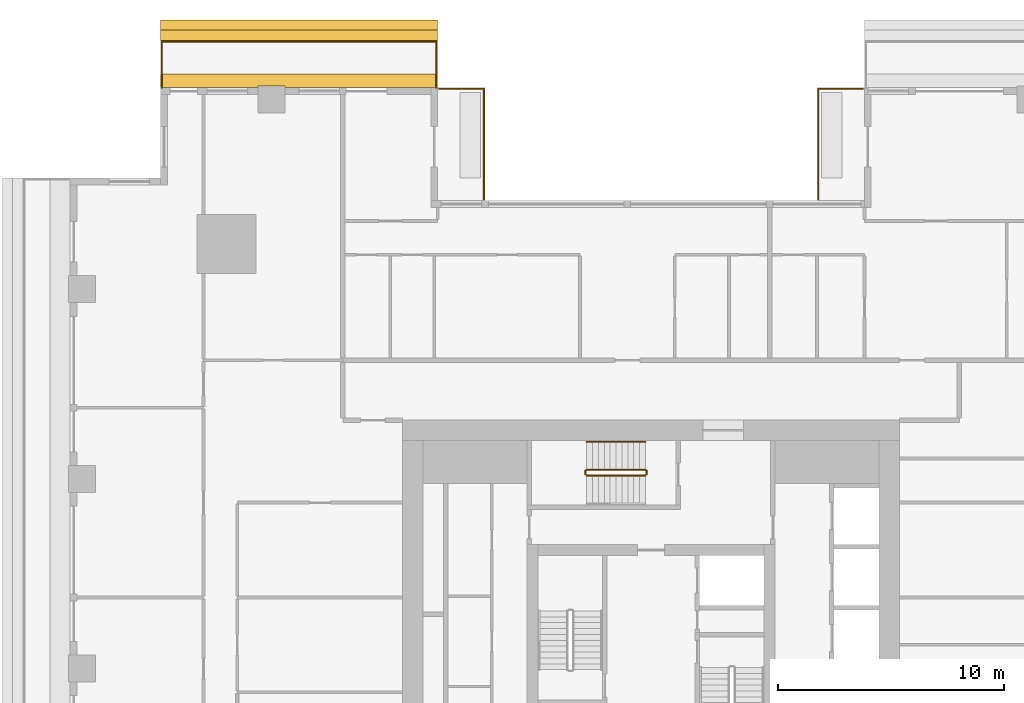
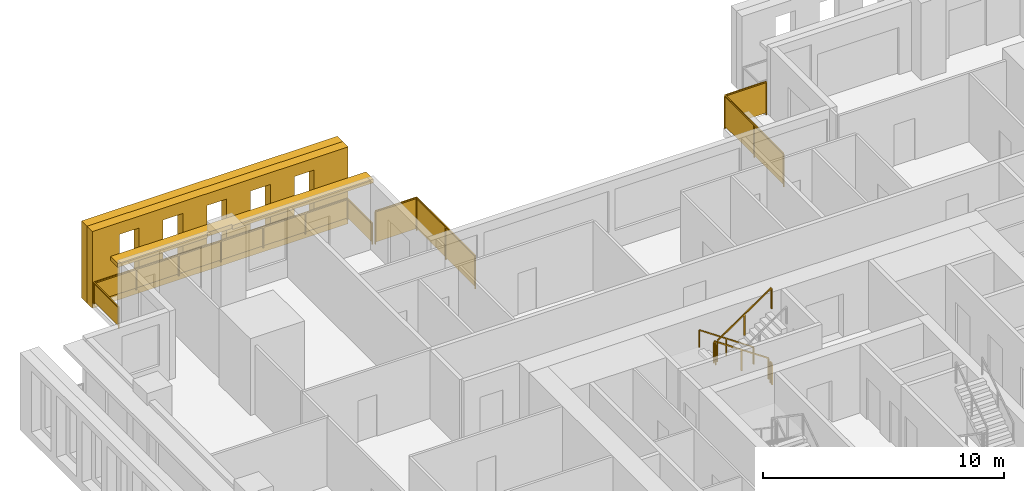
# One storey, part 15 of 16: 8 railings, 3 shading devices.
"""IFC4 building model written with IfcOpenShell, lengths in metres."""

import ifcopenshell
import ifcopenshell.guid

model = None  # the IFC model being written
_history = None  # IfcOwnerHistory: only IFC2X3 demands one
_inside = {}  # id of a spatial element -> (the spatial element, [elements in it])
_under = {}  # id of a project, library or spatial element -> (it, [spatial elements below it])
_declared = {}  # id of a project -> (the project, [libraries it declares])
_typed = {}  # id of a type object -> (the type object, [elements of that type])
_made_of = {}  # id of a material, layer set ... -> (it, [elements and type objects made of it])


def new_model(schema):
    """Start an empty IFC model of exactly this schema.

    Asked for "IFC4X3", IfcOpenShell would pick the latest addendum, in which some entities
    have other attributes; the version numbers below select the first issue.
    IFC2X3 requires an IfcOwnerHistory on every rooted entity: one is made here for all.
    """
    global model, _history
    if schema == "IFC4X3":
        model = ifcopenshell.file(schema_version=(4, 3, 0, 0))
    else:
        model = ifcopenshell.file(schema=schema)
    _inside.clear()
    _under.clear()
    _declared.clear()
    _typed.clear()
    _made_of.clear()
    _history = None
    if model.schema == "IFC2X3":
        org = make("IfcOrganization", Name="unknown")
        user = make(
            "IfcPersonAndOrganization",
            ThePerson=make("IfcPerson", FamilyName="unknown"),
            TheOrganization=org,
        )
        app = make(
            "IfcApplication",
            ApplicationDeveloper=org,
            Version="unknown",
            ApplicationFullName="unknown",
            ApplicationIdentifier="unknown",
        )
        _history = make(
            "IfcOwnerHistory",
            OwningUser=user,
            OwningApplication=app,
            ChangeAction="ADDED",
            CreationDate=0,
        )
    return model


def make(cls, **values):
    """One entity of the class cls with the attributes given. An attribute that is None is left unset."""
    return model.create_entity(
        cls, **{name: value for name, value in values.items() if value is not None}
    )


def rooted(cls, **values):
    """An entity with a GlobalId (a new one), such as an element, a storey or a relation."""
    return make(cls, GlobalId=ifcopenshell.guid.new(), OwnerHistory=_history, **values)


def si_unit(unit_type, name, prefix=None):
    """IfcSIUnit, for example si_unit("LENGTHUNIT", "METRE", prefix="MILLI")."""
    return make("IfcSIUnit", UnitType=unit_type, Prefix=prefix, Name=name)


def assignment(units):
    """IfcUnitAssignment: the units of a project."""
    return None if units is None else make("IfcUnitAssignment", Units=units)


def point(xyz):
    """IfcCartesianPoint."""
    return None if xyz is None else make("IfcCartesianPoint", Coordinates=xyz)


def direction(xyz):
    """IfcDirection."""
    return None if xyz is None else make("IfcDirection", DirectionRatios=xyz)


def frame(location, z_axis=None, x_axis=None):
    """IfcAxis2Placement3D, a coordinate frame: its origin and axes. An axis left out is left unset."""
    return make(
        "IfcAxis2Placement3D",
        Location=point(location),
        Axis=direction(z_axis),
        RefDirection=direction(x_axis),
    )


def frame_2d(location, x_axis=None):
    """IfcAxis2Placement2D, a coordinate frame in the plane: its origin and x axis."""
    return make(
        "IfcAxis2Placement2D", Location=point(location), RefDirection=direction(x_axis)
    )


def origin():
    """The frame at (0, 0, 0) with its axes left unset."""
    return frame((0.0, 0.0, 0.0))


def origin_2d():
    """The frame at (0, 0) in the plane with its x axis left unset."""
    return frame_2d((0.0, 0.0))


def place(relative_to, where):
    """IfcLocalPlacement: puts the frame where relative to a parent placement (None: the world)."""
    return make(
        "IfcLocalPlacement", PlacementRelTo=relative_to, RelativePlacement=where
    )


def context(
    kind, dimensions, precision=None, world=None, true_north=None, identifier=None
):
    """IfcGeometricRepresentationContext, for example the 3D "Model" context."""
    return make(
        "IfcGeometricRepresentationContext",
        ContextIdentifier=identifier,
        ContextType=kind,
        CoordinateSpaceDimension=dimensions,
        Precision=precision,
        WorldCoordinateSystem=world,
        TrueNorth=true_north,
    )


def subcontext(parent, identifier, kind, view, scale=None):
    """IfcGeometricRepresentationSubContext, for example "Body" below "Model"."""
    return make(
        "IfcGeometricRepresentationSubContext",
        ContextIdentifier=identifier,
        ContextType=kind,
        ParentContext=parent,
        TargetScale=scale,
        TargetView=view,
    )


def project(units=None, contexts=None):
    """IfcProject with its units and contexts."""
    return rooted(
        "IfcProject",
        Name="project",
        RepresentationContexts=contexts,
        UnitsInContext=assignment(units),
    )


def spatial(cls, under=None, at=None, **own):
    """A site, building, storey or space (cls), placed at a placement, below another one or the project."""
    s = rooted(cls, ObjectPlacement=at, **own)
    if under is not None:
        _under.setdefault(under.id(), (under, []))[1].append(s)
    return s


def polyline(points):
    """IfcPolyline through the points."""
    return make("IfcPolyline", Points=[point(p) for p in points])


def profile(cls, at=None, kind="AREA", **sizes):
    """A parametric profile (cls). Its sizes go by their IFC names, for example OverallWidth=200.0."""
    return make(cls, ProfileType=kind, Position=at, **sizes)


def rectangle(**sizes):
    """IfcRectangleProfileDef."""
    return profile("IfcRectangleProfileDef", **sizes)


def outline(outer, holes=None, kind="AREA"):
    """IfcArbitraryClosedProfileDef: a profile drawn as a closed curve; with holes, ...WithVoids."""
    if holes is None:
        return make("IfcArbitraryClosedProfileDef", ProfileType=kind, OuterCurve=outer)
    return make(
        "IfcArbitraryProfileDefWithVoids",
        ProfileType=kind,
        OuterCurve=outer,
        InnerCurves=holes,
    )


def extrude(swept, where, along, depth):
    """IfcExtrudedAreaSolid: the profile swept, set in the frame where, extruded along a direction by depth."""
    return make(
        "IfcExtrudedAreaSolid",
        SweptArea=swept,
        Position=where,
        ExtrudedDirection=direction(along),
        Depth=depth,
    )


def shape(context_of_items, identifier, shape_type, items):
    """IfcShapeRepresentation: the items that make up one representation, for example the "Body"."""
    return make(
        "IfcShapeRepresentation",
        ContextOfItems=context_of_items,
        RepresentationIdentifier=identifier,
        RepresentationType=shape_type,
        Items=items,
    )


def material(Name=None, Category=None):
    """IfcMaterial."""
    return make("IfcMaterial", Name=Name, Category=Category)


def layer(
    of_material, thickness, ventilated=None, Name=None, Category=None, Priority=None
):
    """IfcMaterialLayer: one layer of a wall or slab, of a material (None: an air gap)."""
    return make(
        "IfcMaterialLayer",
        Material=of_material,
        LayerThickness=thickness,
        IsVentilated=ventilated,
        Name=Name,
        Category=Category,
        Priority=Priority,
    )


def layer_set(layers, Name=None):
    """IfcMaterialLayerSet."""
    return make("IfcMaterialLayerSet", MaterialLayers=layers, LayerSetName=Name)


def made_of(thing, what):
    """Note that an element or type object is made of a material, layer set ...; save() writes the relation."""
    if what is not None:
        _made_of.setdefault(what.id(), (what, []))[1].append(thing)
    return thing


def type_object(cls, material=None, **own):
    """A type object (cls), such as IfcWallType, which elements share."""
    return made_of(rooted(cls, **own), material)


def element(
    cls,
    number,
    at=None,
    inside=None,
    cuts=None,
    type_object=None,
    material=None,
    context=None,
    identifier="Body",
    shape_type=None,
    held_by="IfcProductDefinitionShape",
    body=None,
    shapes=None,
    **own,
):
    """One element of the class cls, such as IfcWall. Its Tag is "e" and its number.

    at: its placement. inside: the storey or other place that contains it. cuts: it is an
    opening in that element (IfcRelVoidsElement). A single representation is given by context,
    identifier, shape_type and body (its items); several are given by shapes. held_by: the class
    of the entity that holds the representations. save() writes the other relations.
    """
    e = rooted(cls, Tag="e%d" % number, ObjectPlacement=at, **own)
    if body is not None:
        shapes = [shape(context, identifier, shape_type, body)]
    if shapes is not None:
        e.Representation = make(held_by, Representations=shapes)
    if inside is not None:
        _inside.setdefault(inside.id(), (inside, []))[1].append(e)
    if cuts is not None:
        rooted(
            "IfcRelVoidsElement", RelatingBuildingElement=cuts, RelatedOpeningElement=e
        )
    if type_object is not None:
        _typed.setdefault(type_object.id(), (type_object, []))[1].append(e)
    return made_of(e, material)


def aggregate(whole, parts):
    """IfcRelAggregates: a whole, such as a stair, and the parts it consists of."""
    return rooted("IfcRelAggregates", RelatingObject=whole, RelatedObjects=parts)


def save(model, path):
    """Write the relations noted so far, then the file.

    IfcRelAggregates (storeys below a building ...), IfcRelContainedInSpatialStructure (elements
    in a storey), IfcRelDefinesByType, IfcRelAssociatesMaterial and IfcRelDeclares: one each for
    every whole, place, type object, material and project.
    """
    for whole, parts in _under.values():
        aggregate(whole, parts)
    for where, things in _inside.values():
        rooted(
            "IfcRelContainedInSpatialStructure",
            RelatedElements=things,
            RelatingStructure=where,
        )
    for kind, things in _typed.values():
        rooted("IfcRelDefinesByType", RelatedObjects=things, RelatingType=kind)
    for what, things in _made_of.values():
        rooted("IfcRelAssociatesMaterial", RelatedObjects=things, RelatingMaterial=what)
    for by, libraries in _declared.values():
        rooted("IfcRelDeclares", RelatingContext=by, RelatedDefinitions=libraries)
    model.write(path)


model = new_model("IFC4")

# Units and contexts
model_context = context("Model", 3, precision=1e-05, world=origin(), true_north=direction((0.0, 1.0)))
body_context = subcontext(model_context, "Body", "Model", "MODEL_VIEW")
ifc_project = project(units=[si_unit("LENGTHUNIT", "METRE"), si_unit("AREAUNIT", "SQUARE_METRE"), si_unit("VOLUMEUNIT", "CUBIC_METRE"), si_unit("PLANEANGLEUNIT", "RADIAN"), si_unit("MASSUNIT", "GRAM", prefix="KILO")], contexts=[model_context])

# Site, building, storey
site_placement = place(None, origin())
site = spatial("IfcSite", under=ifc_project, at=site_placement, CompositionType="ELEMENT")
building_placement = place(site_placement, origin())
building = spatial("IfcBuilding", under=site, at=building_placement, Name="Khepri Terraces", CompositionType="ELEMENT")
storey_placement = place(building_placement, frame((0.0, 0.0, 157.199951171875)))
storey = spatial("IfcBuildingStorey", under=building, at=storey_placement, Name="L37", CompositionType="ELEMENT", Elevation=157.199951171875)

# Railings
ifc_material_1 = material(Name="Stainless steel grade 316", Category="steel")
railing_type_1 = type_object("IfcRailingType", Name="GRD-BAL-1100", PredefinedType="GUARDRAIL", material=ifc_material_1)
railing_1_placement = place(storey_placement, frame((-9.5, 25.719970703125, 0.0)))
element("IfcRailing", 1, at=railing_1_placement, inside=storey, type_object=railing_type_1, Name="Balcony guard L37 N", PredefinedType="GUARDRAIL", context=body_context, shape_type="SweptSolid", body=[
    extrude(rectangle(XDim=0.050048828125, YDim=0.06005859375, at=origin_2d()), frame((0.0, 0.0, 1.070068359375), z_axis=(0.0, 1.0, 0.0), x_axis=(-1.0, 0.0, 0.0)), (0.0, 0.0, 1.0), 2.050048828125),
    extrude(rectangle(XDim=2.0, YDim=0.011962890625, at=origin_2d()), frame((0.0, 1.02490234375, 0.10009765625), z_axis=(0.0, 0.0, 1.0), x_axis=(0.0, 1.0, 0.0)), (0.0, 0.0, 1.0), 0.93994140625),
    extrude(rectangle(XDim=0.050048828125, YDim=0.06005859375, at=origin_2d()), frame((0.0, 2.050048828125, 1.070068359375), z_axis=(-1.0, 0.0, 0.0), x_axis=(0.0, -1.0, 0.0)), (0.0, 0.0, 1.0), 12.169921875),
    extrude(rectangle(XDim=1.978271484375, YDim=0.011962890625, at=origin_2d()), frame((-1.01416015625, 2.050048828125, 0.10009765625), z_axis=(0.0, 0.0, 1.0), x_axis=(-1.0, 0.0, 0.0)), (0.0, 0.0, 1.0), 0.93994140625),
    extrude(rectangle(XDim=1.978271484375, YDim=0.011962890625, at=origin_2d()), frame((-3.04248046875, 2.050048828125, 0.10009765625), z_axis=(0.0, 0.0, 1.0), x_axis=(-1.0, 0.0, 0.0)), (0.0, 0.0, 1.0), 0.93994140625),
    extrude(rectangle(XDim=1.978271484375, YDim=0.011962890625, at=origin_2d()), frame((-5.07080078125, 2.050048828125, 0.10009765625), z_axis=(0.0, 0.0, 1.0), x_axis=(-1.0, 0.0, 0.0)), (0.0, 0.0, 1.0), 0.93994140625),
    extrude(rectangle(XDim=1.978271484375, YDim=0.011962890625, at=origin_2d()), frame((-7.09912109375, 2.050048828125, 0.10009765625), z_axis=(0.0, 0.0, 1.0), x_axis=(-1.0, 0.0, 0.0)), (0.0, 0.0, 1.0), 0.93994140625),
    extrude(rectangle(XDim=1.978271484375, YDim=0.011962890625, at=origin_2d()), frame((-9.12744140625, 2.050048828125, 0.10009765625), z_axis=(0.0, 0.0, 1.0), x_axis=(-1.0, 0.0, 0.0)), (0.0, 0.0, 1.0), 0.93994140625),
    extrude(rectangle(XDim=1.978271484375, YDim=0.011962890625, at=origin_2d()), frame((-11.15576171875, 2.050048828125, 0.10009765625), z_axis=(0.0, 0.0, 1.0), x_axis=(-1.0, 0.0, 0.0)), (0.0, 0.0, 1.0), 0.93994140625),
    extrude(rectangle(XDim=0.050048828125, YDim=0.06005859375, at=origin_2d()), frame((-12.169921875, 2.050048828125, 1.070068359375), z_axis=(0.0, -1.0, 0.0), x_axis=(1.0, 0.0, 0.0)), (0.0, 0.0, 1.0), 2.050048828125),
    extrude(rectangle(XDim=2.0, YDim=0.011962890625, at=origin_2d()), frame((-12.169921875, 1.02490234375, 0.10009765625), z_axis=(0.0, 0.0, 1.0), x_axis=(0.0, -1.0, 0.0)), (0.0, 0.0, 1.0), 0.93994140625),
    extrude(rectangle(XDim=0.050048828125, YDim=0.050048828125, at=origin_2d()), origin(), (0.0, 0.0, 1.0), 1.0400390625),
    extrude(rectangle(XDim=0.050048828125, YDim=0.050048828125, at=origin_2d()), frame((0.0, 2.050048828125, 0.0)), (0.0, 0.0, 1.0), 1.0400390625),
    extrude(rectangle(XDim=0.050048828125, YDim=0.050048828125, at=origin_2d()), frame((-2.0283203125, 2.050048828125, 0.0)), (0.0, 0.0, 1.0), 1.0400390625),
    extrude(rectangle(XDim=0.050048828125, YDim=0.050048828125, at=origin_2d()), frame((-4.056640625, 2.050048828125, 0.0)), (0.0, 0.0, 1.0), 1.0400390625),
    extrude(rectangle(XDim=0.050048828125, YDim=0.050048828125, at=origin_2d()), frame((-6.0849609375, 2.050048828125, 0.0)), (0.0, 0.0, 1.0), 1.0400390625),
    extrude(rectangle(XDim=0.050048828125, YDim=0.050048828125, at=origin_2d()), frame((-8.11328125, 2.050048828125, 0.0)), (0.0, 0.0, 1.0), 1.0400390625),
    extrude(rectangle(XDim=0.050048828125, YDim=0.050048828125, at=origin_2d()), frame((-10.1416015625, 2.050048828125, 0.0)), (0.0, 0.0, 1.0), 1.0400390625),
    extrude(rectangle(XDim=0.050048828125, YDim=0.050048828125, at=origin_2d()), frame((-12.169921875, 2.050048828125, 0.0)), (0.0, 0.0, 1.0), 1.0400390625),
    extrude(rectangle(XDim=0.050048828125, YDim=0.050048828125, at=origin_2d()), frame((-12.169921875, 0.0, 0.0)), (0.0, 0.0, 1.0), 1.0400390625),
])
railing_type_2 = type_object("IfcRailingType", Name="GRD-TERR-1700", PredefinedType="GUARDRAIL", material=ifc_material_1)
railing_2_placement = place(storey_placement, frame((7.39990234375, 20.7900390625, 0.0)))
element("IfcRailing", 2, at=railing_2_placement, inside=storey, type_object=railing_type_2, Name="Terrace guard L37", PredefinedType="GUARDRAIL", context=body_context, shape_type="SweptSolid", body=[
    extrude(rectangle(XDim=0.050048828125, YDim=0.06005859375, at=origin_2d()), frame((0.0, 0.0, 1.669921875), z_axis=(0.0, 1.0, 0.0), x_axis=(-1.0, 0.0, 0.0)), (0.0, 0.0, 1.0), 4.8798828125),
    extrude(rectangle(XDim=2.389892578125, YDim=0.011962890625, at=origin_2d()), frame((0.0, 1.219970703125, 0.10009765625), z_axis=(0.0, 0.0, 1.0), x_axis=(0.0, 1.0, 0.0)), (0.0, 0.0, 1.0), 1.539794921875),
    extrude(rectangle(XDim=2.389892578125, YDim=0.011962890625, at=origin_2d()), frame((0.0, 3.659912109375, 0.10009765625), z_axis=(0.0, 0.0, 1.0), x_axis=(0.0, 1.0, 0.0)), (0.0, 0.0, 1.0), 1.539794921875),
    extrude(rectangle(XDim=0.050048828125, YDim=0.06005859375, at=origin_2d()), frame((0.0, 4.8798828125, 1.669921875), z_axis=(1.0, 0.0, 0.0), x_axis=(0.0, 1.0, 0.0)), (0.0, 0.0, 1.0), 1.97998046875),
    extrude(rectangle(XDim=1.929931640625, YDim=0.011962890625, at=origin_2d()), frame((0.989990234375, 4.8798828125, 0.10009765625), z_axis=(0.0, 0.0, 1.0), x_axis=(1.0, 0.0, 0.0)), (0.0, 0.0, 1.0), 1.539794921875),
    extrude(rectangle(XDim=0.050048828125, YDim=0.050048828125, at=origin_2d()), origin(), (0.0, 0.0, 1.0), 1.639892578125),
    extrude(rectangle(XDim=0.050048828125, YDim=0.050048828125, at=origin_2d()), frame((0.0, 2.43994140625, 0.0)), (0.0, 0.0, 1.0), 1.639892578125),
    extrude(rectangle(XDim=0.050048828125, YDim=0.050048828125, at=origin_2d()), frame((0.0, 4.8798828125, 0.0)), (0.0, 0.0, 1.0), 1.639892578125),
    extrude(rectangle(XDim=0.050048828125, YDim=0.050048828125, at=origin_2d()), frame((1.97998046875, 4.8798828125, 0.0)), (0.0, 0.0, 1.0), 1.639892578125),
])
railing_3_placement = place(storey_placement, frame((-9.3798828125, 25.669921875, 0.0)))
element("IfcRailing", 3, at=railing_3_placement, inside=storey, type_object=railing_type_2, Name="Terrace guard L37", PredefinedType="GUARDRAIL", context=body_context, shape_type="SweptSolid", body=[
    extrude(rectangle(XDim=0.050048828125, YDim=0.06005859375, at=origin_2d()), frame((0.0, 0.0, 1.669921875), z_axis=(1.0, 0.0, 0.0), x_axis=(0.0, 1.0, 0.0)), (0.0, 0.0, 1.0), 1.97998046875),
    extrude(rectangle(XDim=1.929931640625, YDim=0.011962890625, at=origin_2d()), frame((0.989990234375, 0.0, 0.10009765625), z_axis=(0.0, 0.0, 1.0), x_axis=(1.0, 0.0, 0.0)), (0.0, 0.0, 1.0), 1.539794921875),
    extrude(rectangle(XDim=0.050048828125, YDim=0.06005859375, at=origin_2d()), frame((1.97998046875, 0.0, 1.669921875), z_axis=(0.0, -1.0, 0.0), x_axis=(1.0, 0.0, 0.0)), (0.0, 0.0, 1.0), 4.8798828125),
    extrude(rectangle(XDim=2.389892578125, YDim=0.011962890625, at=origin_2d()), frame((1.97998046875, -1.219970703125, 0.10009765625), z_axis=(0.0, 0.0, 1.0), x_axis=(0.0, -1.0, 0.0)), (0.0, 0.0, 1.0), 1.539794921875),
    extrude(rectangle(XDim=2.389892578125, YDim=0.011962890625, at=origin_2d()), frame((1.97998046875, -3.659912109375, 0.10009765625), z_axis=(0.0, 0.0, 1.0), x_axis=(0.0, -1.0, 0.0)), (0.0, 0.0, 1.0), 1.539794921875),
    extrude(rectangle(XDim=0.050048828125, YDim=0.050048828125, at=origin_2d()), origin(), (0.0, 0.0, 1.0), 1.639892578125),
    extrude(rectangle(XDim=0.050048828125, YDim=0.050048828125, at=origin_2d()), frame((1.97998046875, 0.0, 0.0)), (0.0, 0.0, 1.0), 1.639892578125),
    extrude(rectangle(XDim=0.050048828125, YDim=0.050048828125, at=origin_2d()), frame((1.97998046875, -2.43994140625, 0.0)), (0.0, 0.0, 1.0), 1.639892578125),
    extrude(rectangle(XDim=0.050048828125, YDim=0.050048828125, at=origin_2d()), frame((1.97998046875, -4.8798828125, 0.0)), (0.0, 0.0, 1.0), 1.639892578125),
])
ifc_material_2 = material(Name="Stainless steel 316", Category="steel")
railing_type_3 = type_object("IfcRailingType", Name="RL-CORE-GUARD", PredefinedType="GUARDRAIL", material=ifc_material_2)
railing_4_placement = place(storey_placement, frame((-0.25, 8.800048828125, 0.17724609375)))
element("IfcRailing", 4, at=railing_4_placement, inside=storey, type_object=railing_type_3, Name="L37 ST-3 stair guard 1", PredefinedType="GUARDRAIL", context=body_context, shape_type="SweptSolid", body=[
    extrude(rectangle(XDim=0.050048828125, YDim=0.06005859375, at=origin_2d()), frame((0.0, 0.0, 1.070068359375), z_axis=(-0.826240473404, 0.0, 0.563317565952), x_axis=(0.0, -1.0, 0.0)), (0.0, 0.0, 1.0), 3.14697265625),
    extrude(rectangle(XDim=0.050048828125, YDim=0.050048828125, at=origin_2d()), origin(), (0.0, 0.0, 1.0), 1.0400390625),
    extrude(rectangle(XDim=0.050048828125, YDim=0.050048828125, at=origin_2d()), frame((-1.300048828125, 0.0, 0.88623046875)), (0.0, 0.0, 1.0), 1.0400390625),
    extrude(rectangle(XDim=0.050048828125, YDim=0.050048828125, at=origin_2d()), frame((-2.60009765625, 0.0, 1.772705078125)), (0.0, 0.0, 1.0), 1.0400390625),
])
railing_5_placement = place(storey_placement, frame((-2.89990234375, 8.75, 1.949951171875)))
element("IfcRailing", 5, at=railing_5_placement, inside=storey, type_object=railing_type_3, Name="L37 ST-3 stair guard 2", PredefinedType="GUARDRAIL", context=body_context, shape_type="SweptSolid", body=[
    extrude(rectangle(XDim=0.050048828125, YDim=0.06005859375, at=origin_2d()), frame((0.0, 0.0, 1.070068359375), z_axis=(0.0, -1.0, 0.0), x_axis=(1.0, 0.0, 0.0)), (0.0, 0.0, 1.0), 0.14990234375),
    extrude(rectangle(XDim=0.050048828125, YDim=0.050048828125, at=origin_2d()), origin(), (0.0, 0.0, 1.0), 1.0400390625),
    extrude(rectangle(XDim=0.050048828125, YDim=0.050048828125, at=origin_2d()), frame((0.0, -0.14990234375, 0.0)), (0.0, 0.0, 1.0), 1.0400390625),
])
railing_6_placement = place(storey_placement, frame((-2.85009765625, 8.550048828125, 2.12744140625)))
element("IfcRailing", 6, at=railing_6_placement, inside=storey, type_object=railing_type_3, Name="L37 ST-3 stair guard 3", PredefinedType="GUARDRAIL", context=body_context, shape_type="SweptSolid", body=[
    extrude(rectangle(XDim=0.050048828125, YDim=0.06005859375, at=origin_2d()), frame((0.0, 0.0, 1.070068359375), z_axis=(0.826240473404, 0.0, 0.563317565952), x_axis=(0.0, 1.0, 0.0)), (0.0, 0.0, 1.0), 3.14697265625),
    extrude(rectangle(XDim=0.050048828125, YDim=0.050048828125, at=origin_2d()), origin(), (0.0, 0.0, 1.0), 1.0400390625),
    extrude(rectangle(XDim=0.050048828125, YDim=0.050048828125, at=origin_2d()), frame((1.300048828125, 0.0, 0.88623046875)), (0.0, 0.0, 1.0), 1.0400390625),
    extrude(rectangle(XDim=0.050048828125, YDim=0.050048828125, at=origin_2d()), frame((2.60009765625, 0.0, 1.772705078125)), (0.0, 0.0, 1.0), 1.0400390625),
])
railing_7_placement = place(storey_placement, frame((-0.199951171875, 8.75, 0.0)))
element("IfcRailing", 7, at=railing_7_placement, inside=storey, type_object=railing_type_3, Name="L37 ST-3 stair guard 4", PredefinedType="GUARDRAIL", context=body_context, shape_type="SweptSolid", body=[
    extrude(rectangle(XDim=0.050048828125, YDim=0.06005859375, at=origin_2d()), frame((0.0, 0.0, 1.070068359375), z_axis=(0.0, -1.0, 0.0), x_axis=(1.0, 0.0, 0.0)), (0.0, 0.0, 1.0), 0.14990234375),
    extrude(rectangle(XDim=0.050048828125, YDim=0.050048828125, at=origin_2d()), origin(), (0.0, 0.0, 1.0), 1.0400390625),
    extrude(rectangle(XDim=0.050048828125, YDim=0.050048828125, at=origin_2d()), frame((0.0, -0.14990234375, 0.0)), (0.0, 0.0, 1.0), 1.0400390625),
])
railing_type_4 = type_object("IfcRailingType", Name="RL-CORE-HANDRAIL", PredefinedType="HANDRAIL", material=ifc_material_2)
railing_8_placement = place(storey_placement, frame((-0.25, 10.050048828125, 0.17724609375)))
element("IfcRailing", 8, at=railing_8_placement, inside=storey, type_object=railing_type_4, Name="L37 ST-3 stair handrail 1", PredefinedType="HANDRAIL", context=body_context, shape_type="SweptSolid", body=[
    extrude(rectangle(XDim=0.050048828125, YDim=0.050048828125, at=origin_2d()), frame((0.0, 0.0, 0.875), z_axis=(-0.826240473404, 0.0, 0.563317565952), x_axis=(0.0, -1.0, 0.0)), (0.0, 0.0, 1.0), 3.14697265625),
    extrude(rectangle(XDim=0.050048828125, YDim=0.050048828125, at=origin_2d()), origin(), (0.0, 0.0, 1.0), 0.849853515625),
    extrude(rectangle(XDim=0.050048828125, YDim=0.050048828125, at=origin_2d()), frame((-1.300048828125, 0.0, 0.88623046875)), (0.0, 0.0, 1.0), 0.849853515625),
    extrude(rectangle(XDim=0.050048828125, YDim=0.050048828125, at=origin_2d()), frame((-2.60009765625, 0.0, 1.772705078125)), (0.0, 0.0, 1.0), 0.849853515625),
])

# Shading devices
ifc_material_3 = material(Name="Precast concrete C50/60 warm stone", Category="masonry")
shading_device_type_1 = type_object("IfcShadingDeviceType", Name="SCR-CELL-INNER-450", PredefinedType="USERDEFINED", material=ifc_material_3)
shading_device_1_placement = place(storey_placement, frame((-9.449951171875, 27.820068359375, -0.25), z_axis=(0.0, 1.0, 0.0), x_axis=(-1.0, 0.0, 0.0)))
element("IfcShadingDevice", 9, at=shading_device_1_placement, inside=storey, type_object=shading_device_type_1, Name="Cell screen L37 N in", ObjectType="SCREEN", PredefinedType="USERDEFINED", context=body_context, shape_type="SweptSolid", body=[
    extrude(outline(polyline([(0.0, 0.0), (12.27001953125, 0.0), (12.27001953125, 3.89990234375), (0.0, 3.89990234375), (0.0, 0.0)]), holes=[polyline([(1.62744140625, 0.699951171875), (2.572509765625, 0.699951171875), (2.572509765625, 3.300048828125), (1.62744140625, 3.300048828125), (1.62744140625, 0.699951171875)]), polyline([(3.7275390625, 0.699951171875), (4.672607421875, 0.699951171875), (4.672607421875, 3.300048828125), (3.7275390625, 3.300048828125), (3.7275390625, 0.699951171875)]), polyline([(5.827392578125, 0.699951171875), (6.7724609375, 0.699951171875), (6.7724609375, 3.300048828125), (5.827392578125, 3.300048828125), (5.827392578125, 0.699951171875)]), polyline([(7.927490234375, 0.699951171875), (8.87255859375, 0.699951171875), (8.87255859375, 3.300048828125), (7.927490234375, 3.300048828125), (7.927490234375, 0.699951171875)]), polyline([(10.027587890625, 0.699951171875), (10.972412109375, 0.699951171875), (10.972412109375, 3.300048828125), (10.027587890625, 3.300048828125), (10.027587890625, 0.699951171875)])]), origin(), (0.0, 0.0, 1.0), 0.449951171875),
])
shading_device_type_2 = type_object("IfcShadingDeviceType", Name="SCR-CELL-OUTER-450", PredefinedType="USERDEFINED", material=ifc_material_3)
shading_device_2_placement = place(storey_placement, frame((-9.449951171875, 28.27001953125, -0.25), z_axis=(0.0, 1.0, 0.0), x_axis=(-1.0, 0.0, 0.0)))
element("IfcShadingDevice", 10, at=shading_device_2_placement, inside=storey, type_object=shading_device_type_2, Name="Cell screen L37 N out", ObjectType="SCREEN", PredefinedType="USERDEFINED", context=body_context, shape_type="SweptSolid", body=[
    extrude(outline(polyline([(0.0, 0.0), (12.27001953125, 0.0), (12.27001953125, 3.89990234375), (0.0, 3.89990234375), (0.0, 0.0)]), holes=[polyline([(1.277587890625, 0.449951171875), (2.922607421875, 0.449951171875), (2.922607421875, 3.550048828125), (1.277587890625, 3.550048828125), (1.277587890625, 0.449951171875)]), polyline([(3.37744140625, 0.449951171875), (5.0224609375, 0.449951171875), (5.0224609375, 3.550048828125), (3.37744140625, 3.550048828125), (3.37744140625, 0.449951171875)]), polyline([(5.4775390625, 0.449951171875), (7.12255859375, 0.449951171875), (7.12255859375, 3.550048828125), (5.4775390625, 3.550048828125), (5.4775390625, 0.449951171875)]), polyline([(7.577392578125, 0.449951171875), (9.222412109375, 0.449951171875), (9.222412109375, 3.550048828125), (7.577392578125, 3.550048828125), (7.577392578125, 0.449951171875)]), polyline([(9.677490234375, 0.449951171875), (11.322509765625, 0.449951171875), (11.322509765625, 3.550048828125), (9.677490234375, 3.550048828125), (9.677490234375, 0.449951171875)])]), origin(), (0.0, 0.0, 1.0), 0.449951171875),
])
ifc_layer = layer(ifc_material_3, 0.199951171875, Name="Precast concrete C50/60 warm stone", Category="masonry")
ifc_layer_set = layer_set([ifc_layer], Name="Precast concrete C50/60 warm stone")
shading_device_type_3 = type_object("IfcShadingDeviceType", Name="SSH-BAND-STONE-200-N", PredefinedType="USERDEFINED", material=ifc_layer_set)
shading_device_3_placement = place(storey_placement, frame((0.0, 0.0, 3.10009765625)))
element("IfcShadingDevice", 11, at=shading_device_3_placement, inside=storey, type_object=shading_device_type_3, Name="Sunshade band L37 N", ObjectType="SUNSHADE", PredefinedType="USERDEFINED", context=body_context, shape_type="SweptSolid", body=[
    extrude(outline(polyline([(-16.199951171875, 25.719970703125), (-9.449951171875, 25.719970703125), (-9.449951171875, 26.320068359375), (-21.719970703125, 26.320068359375), (-21.719970703125, 25.719970703125), (-17.39990234375, 25.719970703125), (-17.39990234375, 25.800048828125), (-16.199951171875, 25.800048828125), (-16.199951171875, 25.719970703125)])), origin(), (0.0, 0.0, 1.0), 0.199951171875),
])

save(model, "model.ifc")
